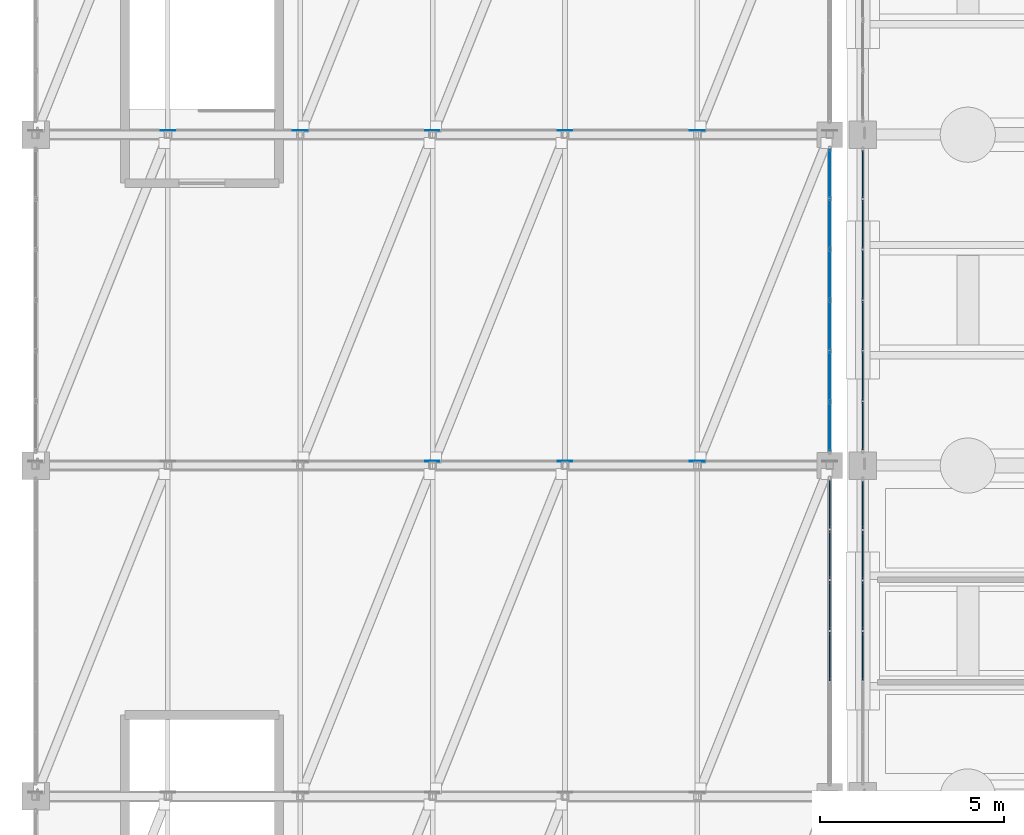
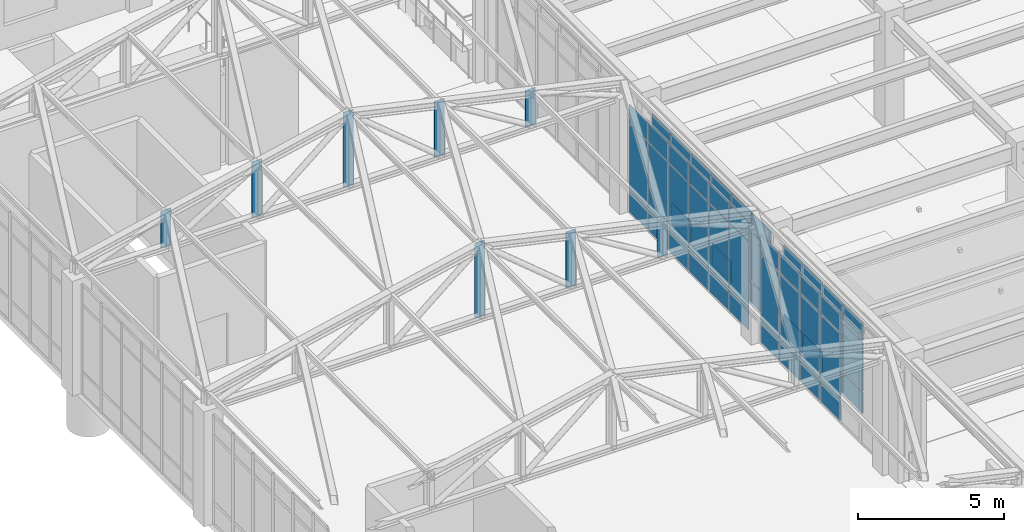
# One storey, part 97 of 139: 68 plates, 4 elements without a shape of their own.
"""IFC4 building model written with IfcOpenShell, lengths in metres."""

from ifc_helpers import new_model, si_unit, direction, frame, origin, origin_2d, place, context, subcontext, project, spatial, rectangle, extrude, material, layer, layer_set, type_object, element, aggregate, save


model = new_model("IFC4")

# Units and contexts
model_context = context("Model", 3, precision=1e-05, world=origin(), true_north=direction((0.0, 1.0)))
body_context = subcontext(model_context, "Body", "Model", "MODEL_VIEW")
ifc_project = project(units=[si_unit("LENGTHUNIT", "METRE"), si_unit("AREAUNIT", "SQUARE_METRE"), si_unit("VOLUMEUNIT", "CUBIC_METRE"), si_unit("PLANEANGLEUNIT", "RADIAN"), si_unit("MASSUNIT", "GRAM", prefix="KILO")], contexts=[model_context])

# Site, building, storey
site_placement = place(None, origin())
site = spatial("IfcSite", under=ifc_project, at=site_placement, CompositionType="ELEMENT")
building_placement = place(site_placement, origin())
building = spatial("IfcBuilding", under=site, at=building_placement, Name="Canglan Escarpment Cableway Terminal", CompositionType="ELEMENT")
storey_placement = place(building_placement, frame((0.0, 0.0, 14.39990234375)))
storey = spatial("IfcBuildingStorey", under=building, at=storey_placement, Name="L03", CompositionType="ELEMENT", Elevation=14.39990234375)

# Curtain wall, plates
ifc_material_1 = material(Name="Anodized bronze aluminium and Low-E double glazing", Category="aluminium")
curtain_wall_type_1 = type_object("IfcCurtainWallType", Name="CW-BAY-8300x4600", PredefinedType="NOTDEFINED", material=ifc_material_1)
curtain_wall_1_placement = place(storey_placement, origin())
curtain_wall_1 = element("IfcCurtainWall", 1, at=curtain_wall_1_placement, inside=storey, type_object=curtain_wall_type_1, Name="Classical bay-between-piers glazed curtain wall CW-45", PredefinedType="NOTDEFINED")
ifc_material_2 = material(Name="Double-silver Low-E laminated insulating glass", Category="glass")
ifc_layer_1 = layer(ifc_material_2, 0.02392578125, Name="Double-silver Low-E laminated insulating glass")
ifc_layer_set_1 = layer_set([ifc_layer_1], Name="Double-silver Low-E laminated insulating glass")
plate_type_1 = type_object("IfcPlateType", Name="CWP-01", PredefinedType="CURTAIN_PANEL", material=ifc_layer_set_1)
plate_1_placement = place(storey_placement, frame((136.699951171875, 62.056640625, 0.05517578125), z_axis=(0.0, 0.0, 1.0), x_axis=(0.0, 1.0, 0.0)))
plate_1 = element("IfcPlate", 2, at=plate_1_placement, type_object=plate_type_1, Name="CW-45 panel 1.1", PredefinedType="CURTAIN_PANEL", context=body_context, shape_type="SweptSolid", body=[
    extrude(rectangle(XDim=1.293212890625, YDim=0.02392578125, at=origin_2d()), origin(), (0.0, 0.0, 1.0), 0.867431640625),
])
plate_2_placement = place(storey_placement, frame((136.699951171875, 62.056640625, 0.9775390625), z_axis=(0.0, 0.0, 1.0), x_axis=(0.0, 1.0, 0.0)))
plate_2 = element("IfcPlate", 3, at=plate_2_placement, type_object=plate_type_1, Name="CW-45 panel 1.2", PredefinedType="CURTAIN_PANEL", context=body_context, shape_type="SweptSolid", body=[
    extrude(rectangle(XDim=1.293212890625, YDim=0.02392578125, at=origin_2d()), origin(), (0.0, 0.0, 1.0), 2.7451171875),
])
plate_3_placement = place(storey_placement, frame((136.699951171875, 62.056640625, 3.777587890625), z_axis=(0.0, 0.0, 1.0), x_axis=(0.0, 1.0, 0.0)))
plate_3 = element("IfcPlate", 4, at=plate_3_placement, type_object=plate_type_1, Name="CW-45 panel 1.3", PredefinedType="CURTAIN_PANEL", context=body_context, shape_type="SweptSolid", body=[
    extrude(rectangle(XDim=1.293212890625, YDim=0.02392578125, at=origin_2d()), origin(), (0.0, 0.0, 1.0), 0.767578125),
])
plate_4_placement = place(storey_placement, frame((136.699951171875, 63.425048828125, 0.05517578125), z_axis=(0.0, 0.0, 1.0), x_axis=(0.0, 1.0, 0.0)))
plate_4 = element("IfcPlate", 5, at=plate_4_placement, type_object=plate_type_1, Name="CW-45 panel 2.1", PredefinedType="CURTAIN_PANEL", context=body_context, shape_type="SweptSolid", body=[
    extrude(rectangle(XDim=1.3232421875, YDim=0.02392578125, at=origin_2d()), origin(), (0.0, 0.0, 1.0), 0.867431640625),
])
plate_5_placement = place(storey_placement, frame((136.699951171875, 63.425048828125, 0.9775390625), z_axis=(0.0, 0.0, 1.0), x_axis=(0.0, 1.0, 0.0)))
plate_5 = element("IfcPlate", 6, at=plate_5_placement, type_object=plate_type_1, Name="CW-45 panel 2.2", PredefinedType="CURTAIN_PANEL", context=body_context, shape_type="SweptSolid", body=[
    extrude(rectangle(XDim=1.3232421875, YDim=0.02392578125, at=origin_2d()), origin(), (0.0, 0.0, 1.0), 2.7451171875),
])
plate_6_placement = place(storey_placement, frame((136.699951171875, 63.425048828125, 3.777587890625), z_axis=(0.0, 0.0, 1.0), x_axis=(0.0, 1.0, 0.0)))
plate_6 = element("IfcPlate", 7, at=plate_6_placement, type_object=plate_type_1, Name="CW-45 panel 2.3", PredefinedType="CURTAIN_PANEL", context=body_context, shape_type="SweptSolid", body=[
    extrude(rectangle(XDim=1.3232421875, YDim=0.02392578125, at=origin_2d()), origin(), (0.0, 0.0, 1.0), 0.767578125),
])
plate_7_placement = place(storey_placement, frame((136.699951171875, 64.808349609375, 0.05517578125), z_axis=(0.0, 0.0, 1.0), x_axis=(0.0, 1.0, 0.0)))
plate_7 = element("IfcPlate", 8, at=plate_7_placement, type_object=plate_type_1, Name="CW-45 panel 3.1", PredefinedType="CURTAIN_PANEL", context=body_context, shape_type="SweptSolid", body=[
    extrude(rectangle(XDim=1.3232421875, YDim=0.02392578125, at=origin_2d()), origin(), (0.0, 0.0, 1.0), 0.867431640625),
])
plate_8_placement = place(storey_placement, frame((136.699951171875, 64.808349609375, 0.9775390625), z_axis=(0.0, 0.0, 1.0), x_axis=(0.0, 1.0, 0.0)))
plate_8 = element("IfcPlate", 9, at=plate_8_placement, type_object=plate_type_1, Name="CW-45 panel 3.2", PredefinedType="CURTAIN_PANEL", context=body_context, shape_type="SweptSolid", body=[
    extrude(rectangle(XDim=1.3232421875, YDim=0.02392578125, at=origin_2d()), origin(), (0.0, 0.0, 1.0), 2.7451171875),
])
plate_9_placement = place(storey_placement, frame((136.699951171875, 64.808349609375, 3.777587890625), z_axis=(0.0, 0.0, 1.0), x_axis=(0.0, 1.0, 0.0)))
plate_9 = element("IfcPlate", 10, at=plate_9_placement, type_object=plate_type_1, Name="CW-45 panel 3.3", PredefinedType="CURTAIN_PANEL", context=body_context, shape_type="SweptSolid", body=[
    extrude(rectangle(XDim=1.3232421875, YDim=0.02392578125, at=origin_2d()), origin(), (0.0, 0.0, 1.0), 0.767578125),
])
plate_10_placement = place(storey_placement, frame((136.699951171875, 66.191650390625, 0.05517578125), z_axis=(0.0, 0.0, 1.0), x_axis=(0.0, 1.0, 0.0)))
plate_10 = element("IfcPlate", 11, at=plate_10_placement, type_object=plate_type_1, Name="CW-45 panel 4.1", PredefinedType="CURTAIN_PANEL", context=body_context, shape_type="SweptSolid", body=[
    extrude(rectangle(XDim=1.3232421875, YDim=0.02392578125, at=origin_2d()), origin(), (0.0, 0.0, 1.0), 0.867431640625),
])
plate_11_placement = place(storey_placement, frame((136.699951171875, 66.191650390625, 0.9775390625), z_axis=(0.0, 0.0, 1.0), x_axis=(0.0, 1.0, 0.0)))
plate_11 = element("IfcPlate", 12, at=plate_11_placement, type_object=plate_type_1, Name="CW-45 panel 4.2", PredefinedType="CURTAIN_PANEL", context=body_context, shape_type="SweptSolid", body=[
    extrude(rectangle(XDim=1.3232421875, YDim=0.02392578125, at=origin_2d()), origin(), (0.0, 0.0, 1.0), 2.7451171875),
])
plate_12_placement = place(storey_placement, frame((136.699951171875, 66.191650390625, 3.777587890625), z_axis=(0.0, 0.0, 1.0), x_axis=(0.0, 1.0, 0.0)))
plate_12 = element("IfcPlate", 13, at=plate_12_placement, type_object=plate_type_1, Name="CW-45 panel 4.3", PredefinedType="CURTAIN_PANEL", context=body_context, shape_type="SweptSolid", body=[
    extrude(rectangle(XDim=1.3232421875, YDim=0.02392578125, at=origin_2d()), origin(), (0.0, 0.0, 1.0), 0.767578125),
])
plate_13_placement = place(storey_placement, frame((136.699951171875, 67.574951171875, 0.05517578125), z_axis=(0.0, 0.0, 1.0), x_axis=(0.0, 1.0, 0.0)))
plate_13 = element("IfcPlate", 14, at=plate_13_placement, type_object=plate_type_1, Name="CW-45 panel 5.1", PredefinedType="CURTAIN_PANEL", context=body_context, shape_type="SweptSolid", body=[
    extrude(rectangle(XDim=1.3232421875, YDim=0.02392578125, at=origin_2d()), origin(), (0.0, 0.0, 1.0), 0.867431640625),
])
plate_14_placement = place(storey_placement, frame((136.699951171875, 67.574951171875, 0.9775390625), z_axis=(0.0, 0.0, 1.0), x_axis=(0.0, 1.0, 0.0)))
plate_14 = element("IfcPlate", 15, at=plate_14_placement, type_object=plate_type_1, Name="CW-45 panel 5.2", PredefinedType="CURTAIN_PANEL", context=body_context, shape_type="SweptSolid", body=[
    extrude(rectangle(XDim=1.3232421875, YDim=0.02392578125, at=origin_2d()), origin(), (0.0, 0.0, 1.0), 2.7451171875),
])
plate_15_placement = place(storey_placement, frame((136.699951171875, 67.574951171875, 3.777587890625), z_axis=(0.0, 0.0, 1.0), x_axis=(0.0, 1.0, 0.0)))
plate_15 = element("IfcPlate", 16, at=plate_15_placement, type_object=plate_type_1, Name="CW-45 panel 5.3", PredefinedType="CURTAIN_PANEL", context=body_context, shape_type="SweptSolid", body=[
    extrude(rectangle(XDim=1.3232421875, YDim=0.02392578125, at=origin_2d()), origin(), (0.0, 0.0, 1.0), 0.767578125),
])
plate_16_placement = place(storey_placement, frame((136.699951171875, 68.943359375, 0.05517578125), z_axis=(0.0, 0.0, 1.0), x_axis=(0.0, 1.0, 0.0)))
plate_16 = element("IfcPlate", 17, at=plate_16_placement, type_object=plate_type_1, Name="CW-45 panel 6.1", PredefinedType="CURTAIN_PANEL", context=body_context, shape_type="SweptSolid", body=[
    extrude(rectangle(XDim=1.293212890625, YDim=0.02392578125, at=origin_2d()), origin(), (0.0, 0.0, 1.0), 0.867431640625),
])
plate_17_placement = place(storey_placement, frame((136.699951171875, 68.943359375, 0.9775390625), z_axis=(0.0, 0.0, 1.0), x_axis=(0.0, 1.0, 0.0)))
plate_17 = element("IfcPlate", 18, at=plate_17_placement, type_object=plate_type_1, Name="CW-45 panel 6.2", PredefinedType="CURTAIN_PANEL", context=body_context, shape_type="SweptSolid", body=[
    extrude(rectangle(XDim=1.293212890625, YDim=0.02392578125, at=origin_2d()), origin(), (0.0, 0.0, 1.0), 2.7451171875),
])
plate_18_placement = place(storey_placement, frame((136.699951171875, 68.943359375, 3.777587890625), z_axis=(0.0, 0.0, 1.0), x_axis=(0.0, 1.0, 0.0)))
plate_18 = element("IfcPlate", 19, at=plate_18_placement, type_object=plate_type_1, Name="CW-45 panel 6.3", PredefinedType="CURTAIN_PANEL", context=body_context, shape_type="SweptSolid", body=[
    extrude(rectangle(XDim=1.293212890625, YDim=0.02392578125, at=origin_2d()), origin(), (0.0, 0.0, 1.0), 0.767578125),
])
aggregate(curtain_wall_1, [plate_1, plate_2, plate_3, plate_4, plate_5, plate_6, plate_7, plate_8, plate_9, plate_10, plate_11, plate_12, plate_13, plate_14, plate_15, plate_16, plate_17, plate_18])

curtain_wall_type_2 = type_object("IfcCurtainWallType", Name="CW-BAY-8250x3900", PredefinedType="NOTDEFINED", material=ifc_material_1)
curtain_wall_2_placement = place(storey_placement, origin())
curtain_wall_2 = element("IfcCurtainWall", 20, at=curtain_wall_2_placement, inside=storey, type_object=curtain_wall_type_2, Name="Classical bay-between-piers glazed curtain wall CW-62", PredefinedType="NOTDEFINED")
ifc_layer_2 = layer(ifc_material_2, 0.031982421875, Name="Double-silver Low-E laminated insulating glass")
ifc_layer_set_2 = layer_set([ifc_layer_2], Name="Double-silver Low-E laminated insulating glass")
plate_type_2 = type_object("IfcPlateType", Name="CWP-03", PredefinedType="CURTAIN_PANEL", material=ifc_layer_set_2)
plate_19_placement = place(storey_placement, frame((137.60009765625, 59.921142578125, 0.065185546875), z_axis=(0.0, 0.0, 1.0), x_axis=(0.0, -1.0, 0.0)))
plate_19 = element("IfcPlate", 21, at=plate_19_placement, type_object=plate_type_2, Name="CW-62 panel 1.1", PredefinedType="CURTAIN_PANEL", context=body_context, shape_type="SweptSolid", body=[
    extrude(rectangle(XDim=1.277587890625, YDim=0.031982421875, at=origin_2d()), origin(), (0.0, 0.0, 1.0), 0.8525390625),
])
plate_20_placement = place(storey_placement, frame((137.60009765625, 59.921142578125, 0.982666015625), z_axis=(0.0, 0.0, 1.0), x_axis=(0.0, -1.0, 0.0)))
plate_20 = element("IfcPlate", 22, at=plate_20_placement, type_object=plate_type_2, Name="CW-62 panel 1.2", PredefinedType="CURTAIN_PANEL", context=body_context, shape_type="SweptSolid", body=[
    extrude(rectangle(XDim=1.277587890625, YDim=0.031982421875, at=origin_2d()), origin(), (0.0, 0.0, 1.0), 2.02587890625),
])
plate_21_placement = place(storey_placement, frame((137.60009765625, 59.921142578125, 3.07373046875), z_axis=(0.0, 0.0, 1.0), x_axis=(0.0, -1.0, 0.0)))
plate_21 = element("IfcPlate", 23, at=plate_21_placement, type_object=plate_type_2, Name="CW-62 panel 1.3", PredefinedType="CURTAIN_PANEL", context=body_context, shape_type="SweptSolid", body=[
    extrude(rectangle(XDim=1.277587890625, YDim=0.031982421875, at=origin_2d()), origin(), (0.0, 0.0, 1.0), 0.75244140625),
])
plate_22_placement = place(storey_placement, frame((137.60009765625, 58.5625, 0.065185546875), z_axis=(0.0, 0.0, 1.0), x_axis=(0.0, -1.0, 0.0)))
plate_22 = element("IfcPlate", 24, at=plate_22_placement, type_object=plate_type_2, Name="CW-62 panel 2.1", PredefinedType="CURTAIN_PANEL", context=body_context, shape_type="SweptSolid", body=[
    extrude(rectangle(XDim=1.31005859375, YDim=0.031982421875, at=origin_2d()), origin(), (0.0, 0.0, 1.0), 0.8525390625),
])
plate_23_placement = place(storey_placement, frame((137.60009765625, 58.5625, 0.982666015625), z_axis=(0.0, 0.0, 1.0), x_axis=(0.0, -1.0, 0.0)))
plate_23 = element("IfcPlate", 25, at=plate_23_placement, type_object=plate_type_2, Name="CW-62 panel 2.2", PredefinedType="CURTAIN_PANEL", context=body_context, shape_type="SweptSolid", body=[
    extrude(rectangle(XDim=1.31005859375, YDim=0.031982421875, at=origin_2d()), origin(), (0.0, 0.0, 1.0), 2.02587890625),
])
plate_24_placement = place(storey_placement, frame((137.60009765625, 58.5625, 3.07373046875), z_axis=(0.0, 0.0, 1.0), x_axis=(0.0, -1.0, 0.0)))
plate_24 = element("IfcPlate", 26, at=plate_24_placement, type_object=plate_type_2, Name="CW-62 panel 2.3", PredefinedType="CURTAIN_PANEL", context=body_context, shape_type="SweptSolid", body=[
    extrude(rectangle(XDim=1.31005859375, YDim=0.031982421875, at=origin_2d()), origin(), (0.0, 0.0, 1.0), 0.75244140625),
])
plate_25_placement = place(storey_placement, frame((137.60009765625, 57.1875, 0.065185546875), z_axis=(0.0, 0.0, 1.0), x_axis=(0.0, -1.0, 0.0)))
plate_25 = element("IfcPlate", 27, at=plate_25_placement, type_object=plate_type_2, Name="CW-62 panel 3.1", PredefinedType="CURTAIN_PANEL", context=body_context, shape_type="SweptSolid", body=[
    extrude(rectangle(XDim=1.31005859375, YDim=0.031982421875, at=origin_2d()), origin(), (0.0, 0.0, 1.0), 0.8525390625),
])
plate_26_placement = place(storey_placement, frame((137.60009765625, 57.1875, 0.982666015625), z_axis=(0.0, 0.0, 1.0), x_axis=(0.0, -1.0, 0.0)))
plate_26 = element("IfcPlate", 28, at=plate_26_placement, type_object=plate_type_2, Name="CW-62 panel 3.2", PredefinedType="CURTAIN_PANEL", context=body_context, shape_type="SweptSolid", body=[
    extrude(rectangle(XDim=1.31005859375, YDim=0.031982421875, at=origin_2d()), origin(), (0.0, 0.0, 1.0), 2.02587890625),
])
plate_27_placement = place(storey_placement, frame((137.60009765625, 57.1875, 3.07373046875), z_axis=(0.0, 0.0, 1.0), x_axis=(0.0, -1.0, 0.0)))
plate_27 = element("IfcPlate", 29, at=plate_27_placement, type_object=plate_type_2, Name="CW-62 panel 3.3", PredefinedType="CURTAIN_PANEL", context=body_context, shape_type="SweptSolid", body=[
    extrude(rectangle(XDim=1.31005859375, YDim=0.031982421875, at=origin_2d()), origin(), (0.0, 0.0, 1.0), 0.75244140625),
])
plate_28_placement = place(storey_placement, frame((137.60009765625, 55.8125, 0.065185546875), z_axis=(0.0, 0.0, 1.0), x_axis=(0.0, -1.0, 0.0)))
plate_28 = element("IfcPlate", 30, at=plate_28_placement, type_object=plate_type_2, Name="CW-62 panel 4.1", PredefinedType="CURTAIN_PANEL", context=body_context, shape_type="SweptSolid", body=[
    extrude(rectangle(XDim=1.31005859375, YDim=0.031982421875, at=origin_2d()), origin(), (0.0, 0.0, 1.0), 0.8525390625),
])
plate_29_placement = place(storey_placement, frame((137.60009765625, 55.8125, 0.982666015625), z_axis=(0.0, 0.0, 1.0), x_axis=(0.0, -1.0, 0.0)))
plate_29 = element("IfcPlate", 31, at=plate_29_placement, type_object=plate_type_2, Name="CW-62 panel 4.2", PredefinedType="CURTAIN_PANEL", context=body_context, shape_type="SweptSolid", body=[
    extrude(rectangle(XDim=1.31005859375, YDim=0.031982421875, at=origin_2d()), origin(), (0.0, 0.0, 1.0), 2.02587890625),
])
plate_30_placement = place(storey_placement, frame((137.60009765625, 55.8125, 3.07373046875), z_axis=(0.0, 0.0, 1.0), x_axis=(0.0, -1.0, 0.0)))
plate_30 = element("IfcPlate", 32, at=plate_30_placement, type_object=plate_type_2, Name="CW-62 panel 4.3", PredefinedType="CURTAIN_PANEL", context=body_context, shape_type="SweptSolid", body=[
    extrude(rectangle(XDim=1.31005859375, YDim=0.031982421875, at=origin_2d()), origin(), (0.0, 0.0, 1.0), 0.75244140625),
])
aggregate(curtain_wall_2, [plate_19, plate_20, plate_21, plate_22, plate_23, plate_24, plate_25, plate_26, plate_27, plate_28, plate_29, plate_30])

curtain_wall_3_placement = place(storey_placement, origin())
curtain_wall_3 = element("IfcCurtainWall", 33, at=curtain_wall_3_placement, inside=storey, type_object=curtain_wall_type_1, Name="Classical bay-between-piers glazed curtain wall CW-45", PredefinedType="NOTDEFINED")
ifc_layer_3 = layer(ifc_material_2, 0.035888671875, Name="Double-silver Low-E laminated insulating glass")
ifc_layer_set_3 = layer_set([ifc_layer_3], Name="Double-silver Low-E laminated insulating glass")
plate_type_3 = type_object("IfcPlateType", Name="CWP-04", PredefinedType="CURTAIN_PANEL", material=ifc_layer_set_3)
plate_31_placement = place(storey_placement, frame((136.699951171875, 55.808349609375, 0.065185546875), z_axis=(0.0, 0.0, 1.0), x_axis=(0.0, 1.0, 0.0)))
plate_31 = element("IfcPlate", 34, at=plate_31_placement, type_object=plate_type_3, Name="CW-45 panel 3.1", PredefinedType="CURTAIN_PANEL", context=body_context, shape_type="SweptSolid", body=[
    extrude(rectangle(XDim=1.318359375, YDim=0.035888671875, at=origin_2d()), origin(), (0.0, 0.0, 1.0), 0.8525390625),
])
plate_32_placement = place(storey_placement, frame((136.699951171875, 55.808349609375, 0.982421875), z_axis=(0.0, 0.0, 1.0), x_axis=(0.0, 1.0, 0.0)))
plate_32 = element("IfcPlate", 35, at=plate_32_placement, type_object=plate_type_3, Name="CW-45 panel 3.2", PredefinedType="CURTAIN_PANEL", context=body_context, shape_type="SweptSolid", body=[
    extrude(rectangle(XDim=1.318359375, YDim=0.035888671875, at=origin_2d()), origin(), (0.0, 0.0, 1.0), 2.735107421875),
])
plate_33_placement = place(storey_placement, frame((136.699951171875, 55.808349609375, 3.78271484375), z_axis=(0.0, 0.0, 1.0), x_axis=(0.0, 1.0, 0.0)))
plate_33 = element("IfcPlate", 36, at=plate_33_placement, type_object=plate_type_3, Name="CW-45 panel 3.3", PredefinedType="CURTAIN_PANEL", context=body_context, shape_type="SweptSolid", body=[
    extrude(rectangle(XDim=1.318359375, YDim=0.035888671875, at=origin_2d()), origin(), (0.0, 0.0, 1.0), 0.75244140625),
])
plate_34_placement = place(storey_placement, frame((136.699951171875, 57.191650390625, 0.065185546875), z_axis=(0.0, 0.0, 1.0), x_axis=(0.0, 1.0, 0.0)))
plate_34 = element("IfcPlate", 37, at=plate_34_placement, type_object=plate_type_3, Name="CW-45 panel 4.1", PredefinedType="CURTAIN_PANEL", context=body_context, shape_type="SweptSolid", body=[
    extrude(rectangle(XDim=1.318359375, YDim=0.035888671875, at=origin_2d()), origin(), (0.0, 0.0, 1.0), 0.8525390625),
])
plate_35_placement = place(storey_placement, frame((136.699951171875, 57.191650390625, 0.982421875), z_axis=(0.0, 0.0, 1.0), x_axis=(0.0, 1.0, 0.0)))
plate_35 = element("IfcPlate", 38, at=plate_35_placement, type_object=plate_type_3, Name="CW-45 panel 4.2", PredefinedType="CURTAIN_PANEL", context=body_context, shape_type="SweptSolid", body=[
    extrude(rectangle(XDim=1.318359375, YDim=0.035888671875, at=origin_2d()), origin(), (0.0, 0.0, 1.0), 2.735107421875),
])
plate_36_placement = place(storey_placement, frame((136.699951171875, 57.191650390625, 3.78271484375), z_axis=(0.0, 0.0, 1.0), x_axis=(0.0, 1.0, 0.0)))
plate_36 = element("IfcPlate", 39, at=plate_36_placement, type_object=plate_type_3, Name="CW-45 panel 4.3", PredefinedType="CURTAIN_PANEL", context=body_context, shape_type="SweptSolid", body=[
    extrude(rectangle(XDim=1.318359375, YDim=0.035888671875, at=origin_2d()), origin(), (0.0, 0.0, 1.0), 0.75244140625),
])
plate_37_placement = place(storey_placement, frame((136.699951171875, 58.574951171875, 0.065185546875), z_axis=(0.0, 0.0, 1.0), x_axis=(0.0, 1.0, 0.0)))
plate_37 = element("IfcPlate", 40, at=plate_37_placement, type_object=plate_type_3, Name="CW-45 panel 5.1", PredefinedType="CURTAIN_PANEL", context=body_context, shape_type="SweptSolid", body=[
    extrude(rectangle(XDim=1.318359375, YDim=0.035888671875, at=origin_2d()), origin(), (0.0, 0.0, 1.0), 0.8525390625),
])
plate_38_placement = place(storey_placement, frame((136.699951171875, 58.574951171875, 0.982421875), z_axis=(0.0, 0.0, 1.0), x_axis=(0.0, 1.0, 0.0)))
plate_38 = element("IfcPlate", 41, at=plate_38_placement, type_object=plate_type_3, Name="CW-45 panel 5.2", PredefinedType="CURTAIN_PANEL", context=body_context, shape_type="SweptSolid", body=[
    extrude(rectangle(XDim=1.318359375, YDim=0.035888671875, at=origin_2d()), origin(), (0.0, 0.0, 1.0), 2.735107421875),
])
plate_39_placement = place(storey_placement, frame((136.699951171875, 58.574951171875, 3.78271484375), z_axis=(0.0, 0.0, 1.0), x_axis=(0.0, 1.0, 0.0)))
plate_39 = element("IfcPlate", 42, at=plate_39_placement, type_object=plate_type_3, Name="CW-45 panel 5.3", PredefinedType="CURTAIN_PANEL", context=body_context, shape_type="SweptSolid", body=[
    extrude(rectangle(XDim=1.318359375, YDim=0.035888671875, at=origin_2d()), origin(), (0.0, 0.0, 1.0), 0.75244140625),
])
plate_40_placement = place(storey_placement, frame((136.699951171875, 59.942138671875, 0.065185546875), z_axis=(0.0, 0.0, 1.0), x_axis=(0.0, 1.0, 0.0)))
plate_40 = element("IfcPlate", 43, at=plate_40_placement, type_object=plate_type_3, Name="CW-45 panel 6.1", PredefinedType="CURTAIN_PANEL", context=body_context, shape_type="SweptSolid", body=[
    extrude(rectangle(XDim=1.285888671875, YDim=0.035888671875, at=origin_2d()), origin(), (0.0, 0.0, 1.0), 0.8525390625),
])
plate_41_placement = place(storey_placement, frame((136.699951171875, 59.942138671875, 0.982421875), z_axis=(0.0, 0.0, 1.0), x_axis=(0.0, 1.0, 0.0)))
plate_41 = element("IfcPlate", 44, at=plate_41_placement, type_object=plate_type_3, Name="CW-45 panel 6.2", PredefinedType="CURTAIN_PANEL", context=body_context, shape_type="SweptSolid", body=[
    extrude(rectangle(XDim=1.285888671875, YDim=0.035888671875, at=origin_2d()), origin(), (0.0, 0.0, 1.0), 2.735107421875),
])
plate_42_placement = place(storey_placement, frame((136.699951171875, 59.942138671875, 3.78271484375), z_axis=(0.0, 0.0, 1.0), x_axis=(0.0, 1.0, 0.0)))
plate_42 = element("IfcPlate", 45, at=plate_42_placement, type_object=plate_type_3, Name="CW-45 panel 6.3", PredefinedType="CURTAIN_PANEL", context=body_context, shape_type="SweptSolid", body=[
    extrude(rectangle(XDim=1.285888671875, YDim=0.035888671875, at=origin_2d()), origin(), (0.0, 0.0, 1.0), 0.75244140625),
])
aggregate(curtain_wall_3, [plate_31, plate_32, plate_33, plate_34, plate_35, plate_36, plate_37, plate_38, plate_39, plate_40, plate_41, plate_42])

curtain_wall_4_placement = place(storey_placement, origin())
curtain_wall_4 = element("IfcCurtainWall", 46, at=curtain_wall_4_placement, inside=storey, type_object=curtain_wall_type_2, Name="Classical bay-between-piers glazed curtain wall CW-62", PredefinedType="NOTDEFINED")
plate_43_placement = place(storey_placement, frame((137.60009765625, 68.922607421875, 0.05517578125), z_axis=(0.0, 0.0, 1.0), x_axis=(0.0, -1.0, 0.0)))
plate_43 = element("IfcPlate", 47, at=plate_43_placement, type_object=plate_type_3, Name="CW-62 panel 1.1", PredefinedType="CURTAIN_PANEL", context=body_context, shape_type="SweptSolid", body=[
    extrude(rectangle(XDim=1.284912109375, YDim=0.035888671875, at=origin_2d()), origin(), (0.0, 0.0, 1.0), 0.867431640625),
])
plate_44_placement = place(storey_placement, frame((137.60009765625, 68.922607421875, 0.9775390625), z_axis=(0.0, 0.0, 1.0), x_axis=(0.0, -1.0, 0.0)))
plate_44 = element("IfcPlate", 48, at=plate_44_placement, type_object=plate_type_3, Name="CW-62 panel 1.2", PredefinedType="CURTAIN_PANEL", context=body_context, shape_type="SweptSolid", body=[
    extrude(rectangle(XDim=1.284912109375, YDim=0.035888671875, at=origin_2d()), origin(), (0.0, 0.0, 1.0), 2.035888671875),
])
plate_45_placement = place(storey_placement, frame((137.60009765625, 68.922607421875, 3.068603515625), z_axis=(0.0, 0.0, 1.0), x_axis=(0.0, -1.0, 0.0)))
plate_45 = element("IfcPlate", 49, at=plate_45_placement, type_object=plate_type_3, Name="CW-62 panel 1.3", PredefinedType="CURTAIN_PANEL", context=body_context, shape_type="SweptSolid", body=[
    extrude(rectangle(XDim=1.284912109375, YDim=0.035888671875, at=origin_2d()), origin(), (0.0, 0.0, 1.0), 0.767578125),
])
plate_46_placement = place(storey_placement, frame((137.60009765625, 67.5625, 0.05517578125), z_axis=(0.0, 0.0, 1.0), x_axis=(0.0, -1.0, 0.0)))
plate_46 = element("IfcPlate", 50, at=plate_46_placement, type_object=plate_type_3, Name="CW-62 panel 2.1", PredefinedType="CURTAIN_PANEL", context=body_context, shape_type="SweptSolid", body=[
    extrude(rectangle(XDim=1.31494140625, YDim=0.035888671875, at=origin_2d()), origin(), (0.0, 0.0, 1.0), 0.867431640625),
])
plate_47_placement = place(storey_placement, frame((137.60009765625, 67.5625, 0.9775390625), z_axis=(0.0, 0.0, 1.0), x_axis=(0.0, -1.0, 0.0)))
plate_47 = element("IfcPlate", 51, at=plate_47_placement, type_object=plate_type_3, Name="CW-62 panel 2.2", PredefinedType="CURTAIN_PANEL", context=body_context, shape_type="SweptSolid", body=[
    extrude(rectangle(XDim=1.31494140625, YDim=0.035888671875, at=origin_2d()), origin(), (0.0, 0.0, 1.0), 2.035888671875),
])
plate_48_placement = place(storey_placement, frame((137.60009765625, 67.5625, 3.068603515625), z_axis=(0.0, 0.0, 1.0), x_axis=(0.0, -1.0, 0.0)))
plate_48 = element("IfcPlate", 52, at=plate_48_placement, type_object=plate_type_3, Name="CW-62 panel 2.3", PredefinedType="CURTAIN_PANEL", context=body_context, shape_type="SweptSolid", body=[
    extrude(rectangle(XDim=1.31494140625, YDim=0.035888671875, at=origin_2d()), origin(), (0.0, 0.0, 1.0), 0.767578125),
])
plate_49_placement = place(storey_placement, frame((137.60009765625, 66.1875, 0.05517578125), z_axis=(0.0, 0.0, 1.0), x_axis=(0.0, -1.0, 0.0)))
plate_49 = element("IfcPlate", 53, at=plate_49_placement, type_object=plate_type_3, Name="CW-62 panel 3.1", PredefinedType="CURTAIN_PANEL", context=body_context, shape_type="SweptSolid", body=[
    extrude(rectangle(XDim=1.31494140625, YDim=0.035888671875, at=origin_2d()), origin(), (0.0, 0.0, 1.0), 0.867431640625),
])
plate_50_placement = place(storey_placement, frame((137.60009765625, 66.1875, 0.9775390625), z_axis=(0.0, 0.0, 1.0), x_axis=(0.0, -1.0, 0.0)))
plate_50 = element("IfcPlate", 54, at=plate_50_placement, type_object=plate_type_3, Name="CW-62 panel 3.2", PredefinedType="CURTAIN_PANEL", context=body_context, shape_type="SweptSolid", body=[
    extrude(rectangle(XDim=1.31494140625, YDim=0.035888671875, at=origin_2d()), origin(), (0.0, 0.0, 1.0), 2.035888671875),
])
plate_51_placement = place(storey_placement, frame((137.60009765625, 66.1875, 3.068603515625), z_axis=(0.0, 0.0, 1.0), x_axis=(0.0, -1.0, 0.0)))
plate_51 = element("IfcPlate", 55, at=plate_51_placement, type_object=plate_type_3, Name="CW-62 panel 3.3", PredefinedType="CURTAIN_PANEL", context=body_context, shape_type="SweptSolid", body=[
    extrude(rectangle(XDim=1.31494140625, YDim=0.035888671875, at=origin_2d()), origin(), (0.0, 0.0, 1.0), 0.767578125),
])
plate_52_placement = place(storey_placement, frame((137.60009765625, 64.8125, 0.05517578125), z_axis=(0.0, 0.0, 1.0), x_axis=(0.0, -1.0, 0.0)))
plate_52 = element("IfcPlate", 56, at=plate_52_placement, type_object=plate_type_3, Name="CW-62 panel 4.1", PredefinedType="CURTAIN_PANEL", context=body_context, shape_type="SweptSolid", body=[
    extrude(rectangle(XDim=1.31494140625, YDim=0.035888671875, at=origin_2d()), origin(), (0.0, 0.0, 1.0), 0.867431640625),
])
plate_53_placement = place(storey_placement, frame((137.60009765625, 64.8125, 0.9775390625), z_axis=(0.0, 0.0, 1.0), x_axis=(0.0, -1.0, 0.0)))
plate_53 = element("IfcPlate", 57, at=plate_53_placement, type_object=plate_type_3, Name="CW-62 panel 4.2", PredefinedType="CURTAIN_PANEL", context=body_context, shape_type="SweptSolid", body=[
    extrude(rectangle(XDim=1.31494140625, YDim=0.035888671875, at=origin_2d()), origin(), (0.0, 0.0, 1.0), 2.035888671875),
])
plate_54_placement = place(storey_placement, frame((137.60009765625, 64.8125, 3.068603515625), z_axis=(0.0, 0.0, 1.0), x_axis=(0.0, -1.0, 0.0)))
plate_54 = element("IfcPlate", 58, at=plate_54_placement, type_object=plate_type_3, Name="CW-62 panel 4.3", PredefinedType="CURTAIN_PANEL", context=body_context, shape_type="SweptSolid", body=[
    extrude(rectangle(XDim=1.31494140625, YDim=0.035888671875, at=origin_2d()), origin(), (0.0, 0.0, 1.0), 0.767578125),
])
plate_55_placement = place(storey_placement, frame((137.60009765625, 63.4375, 0.05517578125), z_axis=(0.0, 0.0, 1.0), x_axis=(0.0, -1.0, 0.0)))
plate_55 = element("IfcPlate", 59, at=plate_55_placement, type_object=plate_type_3, Name="CW-62 panel 5.1", PredefinedType="CURTAIN_PANEL", context=body_context, shape_type="SweptSolid", body=[
    extrude(rectangle(XDim=1.31494140625, YDim=0.035888671875, at=origin_2d()), origin(), (0.0, 0.0, 1.0), 0.867431640625),
])
plate_56_placement = place(storey_placement, frame((137.60009765625, 63.4375, 0.9775390625), z_axis=(0.0, 0.0, 1.0), x_axis=(0.0, -1.0, 0.0)))
plate_56 = element("IfcPlate", 60, at=plate_56_placement, type_object=plate_type_3, Name="CW-62 panel 5.2", PredefinedType="CURTAIN_PANEL", context=body_context, shape_type="SweptSolid", body=[
    extrude(rectangle(XDim=1.31494140625, YDim=0.035888671875, at=origin_2d()), origin(), (0.0, 0.0, 1.0), 2.035888671875),
])
plate_57_placement = place(storey_placement, frame((137.60009765625, 63.4375, 3.068603515625), z_axis=(0.0, 0.0, 1.0), x_axis=(0.0, -1.0, 0.0)))
plate_57 = element("IfcPlate", 61, at=plate_57_placement, type_object=plate_type_3, Name="CW-62 panel 5.3", PredefinedType="CURTAIN_PANEL", context=body_context, shape_type="SweptSolid", body=[
    extrude(rectangle(XDim=1.31494140625, YDim=0.035888671875, at=origin_2d()), origin(), (0.0, 0.0, 1.0), 0.767578125),
])
plate_58_placement = place(storey_placement, frame((137.60009765625, 62.077392578125, 0.05517578125), z_axis=(0.0, 0.0, 1.0), x_axis=(0.0, -1.0, 0.0)))
plate_58 = element("IfcPlate", 62, at=plate_58_placement, type_object=plate_type_3, Name="CW-62 panel 6.1", PredefinedType="CURTAIN_PANEL", context=body_context, shape_type="SweptSolid", body=[
    extrude(rectangle(XDim=1.284912109375, YDim=0.035888671875, at=origin_2d()), origin(), (0.0, 0.0, 1.0), 0.867431640625),
])
plate_59_placement = place(storey_placement, frame((137.60009765625, 62.077392578125, 0.9775390625), z_axis=(0.0, 0.0, 1.0), x_axis=(0.0, -1.0, 0.0)))
plate_59 = element("IfcPlate", 63, at=plate_59_placement, type_object=plate_type_3, Name="CW-62 panel 6.2", PredefinedType="CURTAIN_PANEL", context=body_context, shape_type="SweptSolid", body=[
    extrude(rectangle(XDim=1.284912109375, YDim=0.035888671875, at=origin_2d()), origin(), (0.0, 0.0, 1.0), 2.035888671875),
])
plate_60_placement = place(storey_placement, frame((137.60009765625, 62.077392578125, 3.068603515625), z_axis=(0.0, 0.0, 1.0), x_axis=(0.0, -1.0, 0.0)))
plate_60 = element("IfcPlate", 64, at=plate_60_placement, type_object=plate_type_3, Name="CW-62 panel 6.3", PredefinedType="CURTAIN_PANEL", context=body_context, shape_type="SweptSolid", body=[
    extrude(rectangle(XDim=1.284912109375, YDim=0.035888671875, at=origin_2d()), origin(), (0.0, 0.0, 1.0), 0.767578125),
])
aggregate(curtain_wall_4, [plate_43, plate_44, plate_45, plate_46, plate_47, plate_48, plate_49, plate_50, plate_51, plate_52, plate_53, plate_54, plate_55, plate_56, plate_57, plate_58, plate_59, plate_60])

# Plates
ifc_material_3 = material(Name="Steel Q355B", Category="steel")
ifc_layer_4 = layer(ifc_material_3, 0.02001953125, Name="Steel Q355B")
ifc_layer_set_4 = layer_set([ifc_layer_4], Name="Steel Q355B")
plate_type_4 = type_object("IfcPlateType", Name="PLT-GUSSET-20", PredefinedType="USERDEFINED", material=ifc_layer_set_4)
plate_61_placement = place(storey_placement, frame((125.89990234375, 61.114990234375, 4.580078125), z_axis=(0.0, 0.0, 1.0), x_axis=(1.0, 0.0, 0.0)))
element("IfcPlate", 65, at=plate_61_placement, inside=storey, type_object=plate_type_4, Name="Pratt truss gusset plate GP-02", ObjectType="GUSSET PLATE", PredefinedType="USERDEFINED", context=body_context, shape_type="SweptSolid", body=[
    extrude(rectangle(XDim=0.39990234375, YDim=0.02001953125, at=origin_2d()), origin(), (0.0, 0.0, 1.0), 3.139892578125),
])
plate_62_placement = place(storey_placement, frame((129.5, 61.114990234375, 4.580078125), z_axis=(0.0, 0.0, 1.0), x_axis=(1.0, 0.0, 0.0)))
element("IfcPlate", 66, at=plate_62_placement, inside=storey, type_object=plate_type_4, Name="Pratt truss gusset plate GP-02", ObjectType="GUSSET PLATE", PredefinedType="USERDEFINED", context=body_context, shape_type="SweptSolid", body=[
    extrude(rectangle(XDim=0.39990234375, YDim=0.02001953125, at=origin_2d()), origin(), (0.0, 0.0, 1.0), 2.340087890625),
])
for number, where, z_axis, x_axis, name in (
    (67, (133.10009765625, 61.114990234375, 4.580078125), (0.0, 0.0, 1.0), (1.0, 0.0, 0.0), "Pratt truss gusset plate GP-02"),
    (68, (118.699951171875, 70.114990234375, 4.580078125), (0.0, 0.0, 1.0), (1.0, 0.0, 0.0), "Pratt truss gusset plate GP-02"),
):
    element("IfcPlate", number, at=place(storey_placement, frame(where, z_axis=z_axis, x_axis=x_axis)), inside=storey, type_object=plate_type_4, Name=name, ObjectType="GUSSET PLATE", PredefinedType="USERDEFINED", context=body_context, shape_type="SweptSolid", body=[
        extrude(rectangle(XDim=0.39990234375, YDim=0.02001953125, at=origin_2d()), origin(), (0.0, 0.0, 1.0), 1.5400390625),
    ])
plate_63_placement = place(storey_placement, frame((122.300048828125, 70.114990234375, 4.580078125), z_axis=(0.0, 0.0, 1.0), x_axis=(1.0, 0.0, 0.0)))
element("IfcPlate", 69, at=plate_63_placement, inside=storey, type_object=plate_type_4, Name="Pratt truss gusset plate GP-02", ObjectType="GUSSET PLATE", PredefinedType="USERDEFINED", context=body_context, shape_type="SweptSolid", body=[
    extrude(rectangle(XDim=0.39990234375, YDim=0.02001953125, at=origin_2d()), origin(), (0.0, 0.0, 1.0), 2.340087890625),
])
plate_64_placement = place(storey_placement, frame((125.89990234375, 70.114990234375, 4.580078125), z_axis=(0.0, 0.0, 1.0), x_axis=(1.0, 0.0, 0.0)))
element("IfcPlate", 70, at=plate_64_placement, inside=storey, type_object=plate_type_4, Name="Pratt truss gusset plate GP-02", ObjectType="GUSSET PLATE", PredefinedType="USERDEFINED", context=body_context, shape_type="SweptSolid", body=[
    extrude(rectangle(XDim=0.39990234375, YDim=0.02001953125, at=origin_2d()), origin(), (0.0, 0.0, 1.0), 3.139892578125),
])
plate_65_placement = place(storey_placement, frame((129.5, 70.114990234375, 4.580078125), z_axis=(0.0, 0.0, 1.0), x_axis=(1.0, 0.0, 0.0)))
element("IfcPlate", 71, at=plate_65_placement, inside=storey, type_object=plate_type_4, Name="Pratt truss gusset plate GP-02", ObjectType="GUSSET PLATE", PredefinedType="USERDEFINED", context=body_context, shape_type="SweptSolid", body=[
    extrude(rectangle(XDim=0.39990234375, YDim=0.02001953125, at=origin_2d()), origin(), (0.0, 0.0, 1.0), 2.340087890625),
])
plate_66_placement = place(storey_placement, frame((133.10009765625, 70.114990234375, 4.580078125), z_axis=(0.0, 0.0, 1.0), x_axis=(1.0, 0.0, 0.0)))
element("IfcPlate", 72, at=plate_66_placement, inside=storey, type_object=plate_type_4, Name="Pratt truss gusset plate GP-02", ObjectType="GUSSET PLATE", PredefinedType="USERDEFINED", context=body_context, shape_type="SweptSolid", body=[
    extrude(rectangle(XDim=0.39990234375, YDim=0.02001953125, at=origin_2d()), origin(), (0.0, 0.0, 1.0), 1.5400390625),
])

save(model, "model.ifc")
